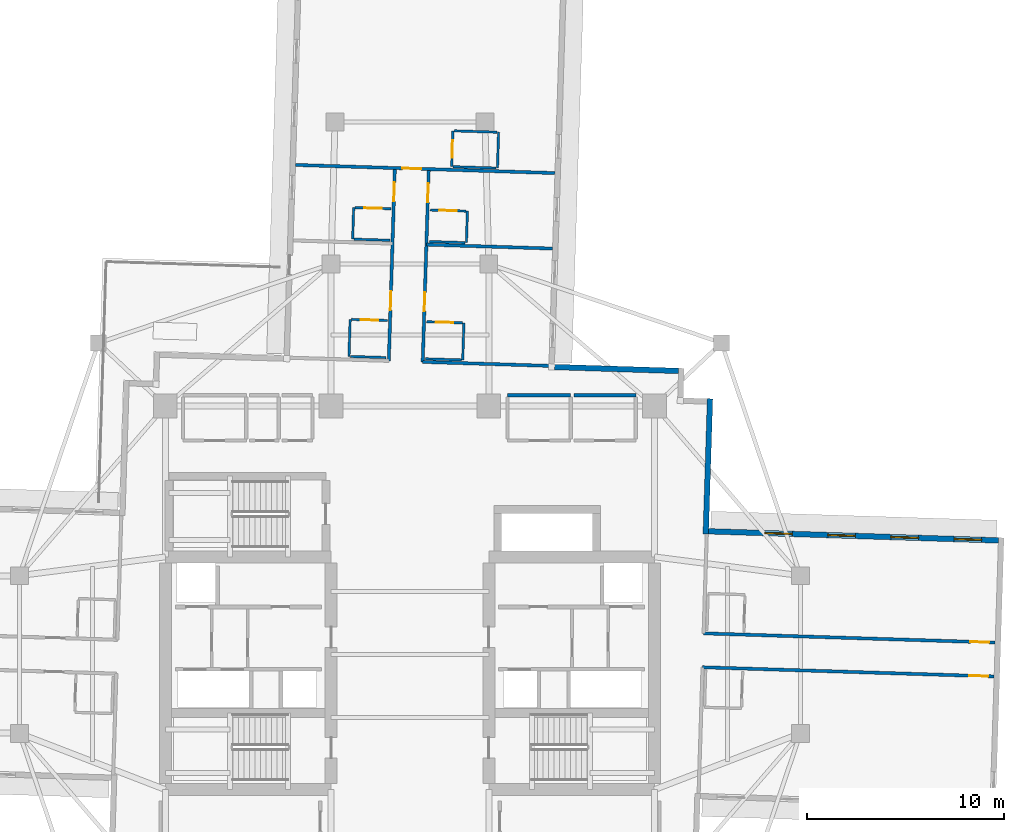
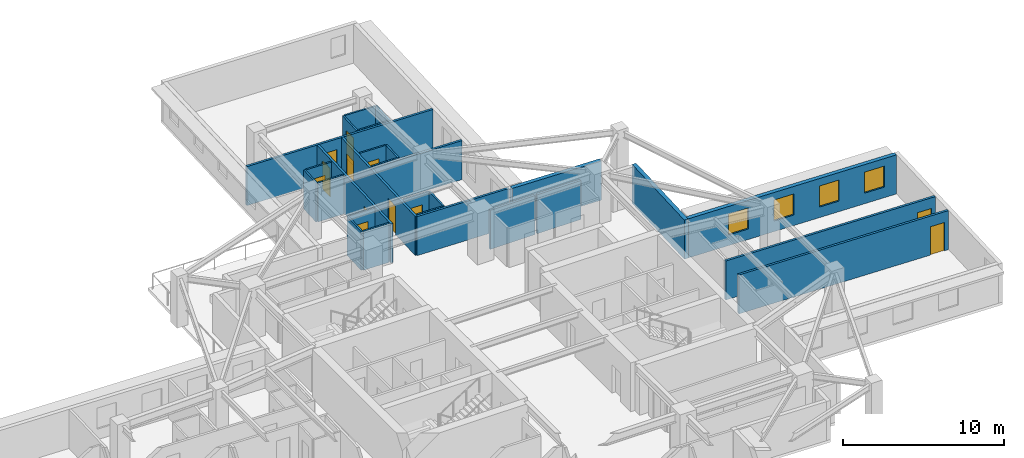
# One storey, part 7 of 13: 28 walls, 12 doors, 4 windows, 16 openings.
"""IFC4 building model written with IfcOpenShell, lengths in metres."""

from ifc_helpers import new_model, si_unit, direction, frame, frame_2d, origin, place, context, subcontext, project, spatial, rectangle, extrude, material, layer, layer_set, type_object, element, fill, save


model = new_model("IFC4")

# Units and contexts
model_context = context("Model", 3, precision=1e-05, world=origin(), true_north=direction((0.0, 1.0)))
body_context = subcontext(model_context, "Body", "Model", "MODEL_VIEW")
ifc_project = project(units=[si_unit("LENGTHUNIT", "METRE"), si_unit("AREAUNIT", "SQUARE_METRE"), si_unit("VOLUMEUNIT", "CUBIC_METRE"), si_unit("PLANEANGLEUNIT", "RADIAN"), si_unit("MASSUNIT", "GRAM", prefix="KILO")], contexts=[model_context])

# Site, building, storey
site_placement = place(None, origin())
site = spatial("IfcSite", under=ifc_project, at=site_placement, CompositionType="ELEMENT")
building_placement = place(site_placement, origin())
building = spatial("IfcBuilding", under=site, at=building_placement, Name="Qingluan Cross Belvedere", CompositionType="ELEMENT")
storey_placement = place(building_placement, frame((0.0, 0.0, 152.699951171875)))
storey = spatial("IfcBuildingStorey", under=building, at=storey_placement, Name="L38", CompositionType="ELEMENT", Elevation=152.699951171875)

# Walls
ifc_material_1 = material(Name="Gypsum plasterboard on steel stud acoustic partition", Category="steel")
ifc_layer_1 = layer(ifc_material_1, 0.159912109375, Name="CorridorPartition_160")
ifc_layer_set_1 = layer_set([ifc_layer_1], Name="Gypsum plasterboard on steel stud acoustic partition")
wall_type_1 = type_object("IfcWallType", Name="CorridorPartition_160", PredefinedType="PARTITIONING", material=ifc_layer_set_1)
wall_1_placement = place(storey_placement, frame((4.949951171875, 13.14990234375, 0.0), z_axis=(0.0, 0.0, 1.0), x_axis=(1.0, 0.0, 0.0)))
element("IfcWall", 1, at=wall_1_placement, inside=storey, type_object=wall_type_1, Name="Partition L38:q_ne1:N", PredefinedType="PARTITIONING", context=body_context, shape_type="SweptSolid", body=[
    extrude(rectangle(XDim=3.199951171875, YDim=0.159912109375, at=frame_2d((1.60009765625, 0.0))), origin(), (0.0, 0.0, 1.0), 2.9599609375),
])
wall_2_placement = place(storey_placement, frame((8.31005859375, 13.14990234375, 0.0), z_axis=(0.0, 0.0, 1.0), x_axis=(1.0, 0.0, 0.0)))
element("IfcWall", 2, at=wall_2_placement, inside=storey, type_object=wall_type_1, Name="Partition L38:q_ne2:N", PredefinedType="PARTITIONING", context=body_context, shape_type="SweptSolid", body=[
    extrude(rectangle(XDim=3.139892578125, YDim=0.159912109375, at=frame_2d((1.56982421875, 0.0))), origin(), (0.0, 0.0, 1.0), 2.9599609375),
])

# Wall, opening, door
wall_3_placement = place(storey_placement, frame((14.89111328125, 1.07275390625, 0.0), z_axis=(0.0, 0.0, 1.0), x_axis=(0.999506468759, -0.031413673903, 0.0)))
wall_3 = element("IfcWall", 3, at=wall_3_placement, inside=storey, type_object=wall_type_1, Name="Partition L38:E:c0", PredefinedType="PARTITIONING", context=body_context, shape_type="SweptSolid", body=[
    extrude(rectangle(XDim=14.781982421875, YDim=0.159912109375, at=frame_2d((7.39111328125, 0.0))), origin(), (0.0, 0.0, 1.0), 2.9599609375),
])
opening_1_placement = place(wall_3_placement, frame((13.530029296875, 0.0, 0.0)))
opening_1 = element("IfcOpeningElement", 4, at=opening_1_placement, cuts=wall_3, Name="Opening GD-10", PredefinedType="OPENING", context=body_context, shape_type="SweptSolid", body=[
    extrude(rectangle(XDim=0.9599609375, YDim=2.14990234375, at=frame_2d((0.47998046875, 1.074951171875))), frame((0.0, 0.08984375, 0.0), z_axis=(0.0, -1.0, 0.0), x_axis=(1.0, 0.0, 0.0)), (0.0, 0.0, 1.0), 0.179931640625),
])
ifc_material_2 = material(Name="Timber oak fire-rated acoustic guestroom door", Category="wood")
door_type_1 = type_object("IfcDoorType", Name="GuestEntryDoor_FD60", OperationType="NOTDEFINED", PredefinedType="DOOR", material=ifc_material_2)
door_1_placement = place(opening_1_placement, origin())
door_1 = element("IfcDoor", 5, at=door_1_placement, inside=storey, type_object=door_type_1, Name="Guest entry fire door 3801", OperationType="SINGLE_SWING_RIGHT", OverallHeight=2.14990234375, OverallWidth=0.9599609375, PredefinedType="DOOR", context=body_context, shape_type="SweptSolid", body=[
    extrude(rectangle(XDim=0.9599609375, YDim=2.14990234375, at=frame_2d((0.47998046875, 1.074951171875))), frame((0.0, 0.02490234375, 0.0), z_axis=(0.0, -1.0, 0.0), x_axis=(1.0, 0.0, 0.0)), (0.0, 0.0, 1.0), 0.050048828125),
])
fill(opening_1, door_1)

wall_4_placement = place(storey_placement, frame((14.8369140625, -0.646484375, 0.0), z_axis=(0.0, 0.0, 1.0), x_axis=(0.999507003481, -0.031396655766, 0.0)))
wall_4 = element("IfcWall", 6, at=wall_4_placement, inside=storey, type_object=wall_type_1, Name="Partition L38:E:c1", PredefinedType="PARTITIONING", context=body_context, shape_type="SweptSolid", body=[
    extrude(rectangle(XDim=14.7822265625, YDim=0.159912109375, at=frame_2d((7.39111328125, 0.0))), origin(), (0.0, 0.0, 1.0), 2.9599609375),
])
opening_2_placement = place(wall_4_placement, frame((13.530029296875, 0.0, 0.0)))
opening_2 = element("IfcOpeningElement", 7, at=opening_2_placement, cuts=wall_4, Name="Opening GD-10", PredefinedType="OPENING", context=body_context, shape_type="SweptSolid", body=[
    extrude(rectangle(XDim=0.9599609375, YDim=2.14990234375, at=frame_2d((0.47998046875, 1.074951171875))), frame((0.0, 0.08984375, 0.0), z_axis=(0.0, -1.0, 0.0), x_axis=(1.0, 0.0, 0.0)), (0.0, 0.0, 1.0), 0.179931640625),
])
door_2_placement = place(opening_2_placement, origin())
door_2 = element("IfcDoor", 8, at=door_2_placement, inside=storey, type_object=door_type_1, Name="Guest entry fire door 3802", OperationType="SINGLE_SWING_RIGHT", OverallHeight=2.14990234375, OverallWidth=0.9599609375, PredefinedType="DOOR", context=body_context, shape_type="SweptSolid", body=[
    extrude(rectangle(XDim=0.9599609375, YDim=2.14990234375, at=frame_2d((0.47998046875, 1.074951171875))), frame((0.0, 0.02490234375, 0.0), z_axis=(0.0, -1.0, 0.0), x_axis=(1.0, 0.0, 0.0)), (0.0, 0.0, 1.0), 0.050048828125),
])
fill(opening_2, door_2)

# Wall, openings, doors
wall_5_placement = place(storey_placement, frame((0.646484375, 14.8369140625, 0.0), z_axis=(0.0, 0.0, 1.0), x_axis=(0.031385618091, 0.999507350137, 0.0)))
wall_5 = element("IfcWall", 9, at=wall_5_placement, inside=storey, type_object=wall_type_1, Name="Partition L38:N:c0", PredefinedType="PARTITIONING", context=body_context, shape_type="SweptSolid", body=[
    extrude(rectangle(XDim=9.7001953125, YDim=0.159912109375, at=frame_2d((4.85009765625, 0.0))), origin(), (0.0, 0.0, 1.0), 2.9599609375),
])
opening_3_placement = place(wall_5_placement, frame((2.574951171875, 0.0, 0.0)))
opening_3 = element("IfcOpeningElement", 10, at=opening_3_placement, cuts=wall_5, Name="Opening GD-10", PredefinedType="OPENING", context=body_context, shape_type="SweptSolid", body=[
    extrude(rectangle(XDim=0.9599609375, YDim=2.14990234375, at=frame_2d((0.47998046875, 1.074951171875))), frame((0.0, 0.08984375, 0.0), z_axis=(0.0, -1.0, 0.0), x_axis=(1.0, 0.0, 0.0)), (0.0, 0.0, 1.0), 0.179931640625),
])
opening_4_placement = place(wall_5_placement, frame((8.096923828125, 0.0, 0.0)))
opening_4 = element("IfcOpeningElement", 11, at=opening_4_placement, cuts=wall_5, Name="Opening GD-10", PredefinedType="OPENING", context=body_context, shape_type="SweptSolid", body=[
    extrude(rectangle(XDim=0.9599609375, YDim=2.14990234375, at=frame_2d((0.47998046875, 1.074951171875))), frame((0.0, 0.08984375, 0.0), z_axis=(0.0, -1.0, 0.0), x_axis=(1.0, 0.0, 0.0)), (0.0, 0.0, 1.0), 0.179931640625),
])
door_3_placement = place(opening_3_placement, origin())
door_3 = element("IfcDoor", 12, at=door_3_placement, inside=storey, type_object=door_type_1, Name="Guest entry fire door 3809", OperationType="SINGLE_SWING_RIGHT", OverallHeight=2.14990234375, OverallWidth=0.9599609375, PredefinedType="DOOR", context=body_context, shape_type="SweptSolid", body=[
    extrude(rectangle(XDim=0.9599609375, YDim=2.14990234375, at=frame_2d((0.47998046875, 1.074951171875))), frame((0.0, 0.02490234375, 0.0), z_axis=(0.0, -1.0, 0.0), x_axis=(1.0, 0.0, 0.0)), (0.0, 0.0, 1.0), 0.050048828125),
])
fill(opening_3, door_3)
door_4_placement = place(opening_4_placement, origin())
door_4 = element("IfcDoor", 13, at=door_4_placement, inside=storey, type_object=door_type_1, Name="Guest entry fire door 3810", OperationType="SINGLE_SWING_RIGHT", OverallHeight=2.14990234375, OverallWidth=0.9599609375, PredefinedType="DOOR", context=body_context, shape_type="SweptSolid", body=[
    extrude(rectangle(XDim=0.9599609375, YDim=2.14990234375, at=frame_2d((0.47998046875, 1.074951171875))), frame((0.0, 0.02490234375, 0.0), z_axis=(0.0, -1.0, 0.0), x_axis=(1.0, 0.0, 0.0)), (0.0, 0.0, 1.0), 0.050048828125),
])
fill(opening_4, door_4)

# Walls
wall_6_placement = place(storey_placement, frame((0.646484375, 14.8369140625, 0.0), z_axis=(0.0, 0.0, 1.0), x_axis=(0.999507037085, -0.031395585949, 0.0)))
element("IfcWall", 14, at=wall_6_placement, inside=storey, type_object=wall_type_1, Name="Partition L38:N:s0", PredefinedType="PARTITIONING", context=body_context, shape_type="SweptSolid", body=[
    extrude(rectangle(XDim=6.539794921875, YDim=0.159912109375, at=frame_2d((3.27001953125, 0.0))), origin(), (0.0, 0.0, 1.0), 2.9599609375),
])
wall_7_placement = place(storey_placement, frame((0.833251953125, 20.7841796875, 0.0), z_axis=(0.0, 0.0, 1.0), x_axis=(0.999505833379, -0.031433883636, 0.0)))
element("IfcWall", 15, at=wall_7_placement, inside=storey, type_object=wall_type_1, Name="Partition L38:N:d0_0", PredefinedType="PARTITIONING", context=body_context, shape_type="SweptSolid", body=[
    extrude(rectangle(XDim=6.39208984375, YDim=0.159912109375, at=frame_2d((3.196044921875, 0.0))), origin(), (0.0, 0.0, 1.0), 2.9599609375),
])

# Wall, openings, doors
wall_8_placement = place(storey_placement, frame((-1.07275390625, 14.89111328125, 0.0), z_axis=(0.0, 0.0, 1.0), x_axis=(0.031411552371, 0.999506535435, 0.0)))
wall_8 = element("IfcWall", 16, at=wall_8_placement, inside=storey, type_object=wall_type_1, Name="Partition L38:N:c1", PredefinedType="PARTITIONING", context=body_context, shape_type="SweptSolid", body=[
    extrude(rectangle(XDim=9.699951171875, YDim=0.159912109375, at=frame_2d((4.85009765625, 0.0))), origin(), (0.0, 0.0, 1.0), 2.9599609375),
])
opening_5_placement = place(wall_8_placement, frame((2.574951171875, 0.0, 0.0)))
opening_5 = element("IfcOpeningElement", 17, at=opening_5_placement, cuts=wall_8, Name="Opening GD-10", PredefinedType="OPENING", context=body_context, shape_type="SweptSolid", body=[
    extrude(rectangle(XDim=0.9599609375, YDim=2.14990234375, at=frame_2d((0.47998046875, 1.074951171875))), frame((0.0, 0.08984375, 0.0), z_axis=(0.0, -1.0, 0.0), x_axis=(1.0, 0.0, 0.0)), (0.0, 0.0, 1.0), 0.179931640625),
])
opening_6_placement = place(wall_8_placement, frame((8.096923828125, 0.0, 0.0)))
opening_6 = element("IfcOpeningElement", 18, at=opening_6_placement, cuts=wall_8, Name="Opening GD-10", PredefinedType="OPENING", context=body_context, shape_type="SweptSolid", body=[
    extrude(rectangle(XDim=0.9599609375, YDim=2.14990234375, at=frame_2d((0.47998046875, 1.074951171875))), frame((0.0, 0.08984375, 0.0), z_axis=(0.0, -1.0, 0.0), x_axis=(1.0, 0.0, 0.0)), (0.0, 0.0, 1.0), 0.179931640625),
])
door_5_placement = place(opening_5_placement, origin())
door_5 = element("IfcDoor", 19, at=door_5_placement, inside=storey, type_object=door_type_1, Name="Guest entry fire door 3811", OperationType="SINGLE_SWING_RIGHT", OverallHeight=2.14990234375, OverallWidth=0.9599609375, PredefinedType="DOOR", context=body_context, shape_type="SweptSolid", body=[
    extrude(rectangle(XDim=0.9599609375, YDim=2.14990234375, at=frame_2d((0.47998046875, 1.074951171875))), frame((0.0, 0.02490234375, 0.0), z_axis=(0.0, -1.0, 0.0), x_axis=(1.0, 0.0, 0.0)), (0.0, 0.0, 1.0), 0.050048828125),
])
fill(opening_5, door_5)
door_6_placement = place(opening_6_placement, origin())
door_6 = element("IfcDoor", 20, at=door_6_placement, inside=storey, type_object=door_type_1, Name="Guest entry fire door 3812", OperationType="SINGLE_SWING_RIGHT", OverallHeight=2.14990234375, OverallWidth=0.9599609375, PredefinedType="DOOR", context=body_context, shape_type="SweptSolid", body=[
    extrude(rectangle(XDim=0.9599609375, YDim=2.14990234375, at=frame_2d((0.47998046875, 1.074951171875))), frame((0.0, 0.02490234375, 0.0), z_axis=(0.0, -1.0, 0.0), x_axis=(1.0, 0.0, 0.0)), (0.0, 0.0, 1.0), 0.050048828125),
])
fill(opening_6, door_6)

# Wall, opening, door
wall_9_placement = place(storey_placement, frame((-5.795166015625, 24.82421875, 0.0), z_axis=(0.0, 0.0, 1.0), x_axis=(0.999507189267, -0.031390740738, 0.0)))
wall_9 = element("IfcWall", 21, at=wall_9_placement, inside=storey, type_object=wall_type_1, Name="Partition L38:Ncap:in", PredefinedType="PARTITIONING", context=body_context, shape_type="SweptSolid", body=[
    extrude(rectangle(XDim=13.14404296875, YDim=0.159912109375, at=frame_2d((6.572021484375, 0.0))), origin(), (0.0, 0.0, 1.0), 2.9599609375),
])
opening_7_placement = place(wall_9_placement, frame((5.412109375, 0.0, 0.0)))
opening_7 = element("IfcOpeningElement", 22, at=opening_7_placement, cuts=wall_9, Name="Opening GD-10", PredefinedType="OPENING", context=body_context, shape_type="SweptSolid", body=[
    extrude(rectangle(XDim=0.9599609375, YDim=2.14990234375, at=frame_2d((0.47998046875, 1.074951171875))), frame((0.0, 0.08984375, 0.0), z_axis=(0.0, -1.0, 0.0), x_axis=(1.0, 0.0, 0.0)), (0.0, 0.0, 1.0), 0.179931640625),
])
door_7_placement = place(opening_7_placement, origin())
door_7 = element("IfcDoor", 23, at=door_7_placement, inside=storey, type_object=door_type_1, Name="Presidential suite entrance door L38N", OperationType="SINGLE_SWING_LEFT", OverallHeight=2.14990234375, OverallWidth=0.9599609375, PredefinedType="DOOR", context=body_context, shape_type="SweptSolid", body=[
    extrude(rectangle(XDim=0.9599609375, YDim=2.14990234375, at=frame_2d((0.47998046875, 1.074951171875))), frame((0.0, 0.02490234375, 0.0), z_axis=(0.0, -1.0, 0.0), x_axis=(1.0, 0.0, 0.0)), (0.0, 0.0, 1.0), 0.050048828125),
])
fill(opening_7, door_7)

ifc_material_3 = material(Name="Moisture-resistant gypsum board lining")
ifc_layer_2 = layer(ifc_material_3, 0.1201171875, Name="EnsuiteWetPartition_120")
ifc_layer_set_2 = layer_set([ifc_layer_2], Name="Moisture-resistant gypsum board lining")
wall_type_2 = type_object("IfcWallType", Name="EnsuiteWetPartition_120", PredefinedType="PARTITIONING", material=ifc_layer_set_2)
wall_10_placement = place(storey_placement, frame((0.850341796875, 16.87158203125, 0.0), z_axis=(0.0, 0.0, 1.0), x_axis=(0.999507221803, -0.031389704724, 0.0)))
wall_10 = element("IfcWall", 24, at=wall_10_placement, inside=storey, type_object=wall_type_2, Name="Partition L38:N:bs0_0", PredefinedType="PARTITIONING", context=body_context, shape_type="SweptSolid", body=[
    extrude(rectangle(XDim=1.820068359375, YDim=0.1201171875, at=frame_2d((0.91015625, 0.0))), origin(), (0.0, 0.0, 1.0), 2.9599609375),
])
opening_8_placement = place(wall_10_placement, frame((0.469970703125, 0.0, 0.0)))
opening_8 = element("IfcOpeningElement", 25, at=opening_8_placement, cuts=wall_10, Name="Opening BD-09", PredefinedType="OPENING", context=body_context, shape_type="SweptSolid", body=[
    extrude(rectangle(XDim=0.8798828125, YDim=2.10009765625, at=frame_2d((0.43994140625, 1.050048828125))), frame((0.0, 0.070068359375, 0.0), z_axis=(0.0, -1.0, 0.0), x_axis=(1.0, 0.0, 0.0)), (0.0, 0.0, 1.0), 0.14013671875),
])
ifc_material_4 = material(Name="Moisture-sealed timber en-suite door", Category="wood")
door_type_2 = type_object("IfcDoorType", Name="BathroomDoor_880", OperationType="NOTDEFINED", PredefinedType="DOOR", material=ifc_material_4)
door_8_placement = place(opening_8_placement, origin())
door_8 = element("IfcDoor", 26, at=door_8_placement, inside=storey, type_object=door_type_2, Name="Bathroom door 3809", OperationType="SINGLE_SWING_LEFT", OverallHeight=2.10009765625, OverallWidth=0.8798828125, PredefinedType="DOOR", context=body_context, shape_type="SweptSolid", body=[
    extrude(rectangle(XDim=0.8798828125, YDim=2.10009765625, at=frame_2d((0.43994140625, 1.050048828125))), frame((0.0, 0.02490234375, 0.0), z_axis=(0.0, -1.0, 0.0), x_axis=(1.0, 0.0, 0.0)), (0.0, 0.0, 1.0), 0.050048828125),
])
fill(opening_8, door_8)

# Walls
wall_11_placement = place(storey_placement, frame((0.791259765625, 14.992431640625, 0.0), z_axis=(0.0, 0.0, 1.0), x_axis=(0.999507221803, -0.031389704724, 0.0)))
element("IfcWall", 27, at=wall_11_placement, inside=storey, type_object=wall_type_2, Name="Partition L38:N:bw0_0", PredefinedType="PARTITIONING", context=body_context, shape_type="SweptSolid", body=[
    extrude(rectangle(XDim=1.820068359375, YDim=0.1201171875, at=frame_2d((0.91015625, 0.0))), origin(), (0.0, 0.0, 1.0), 2.9599609375),
])
wall_12_placement = place(storey_placement, frame((2.67529296875, 14.933349609375, 0.0), z_axis=(0.0, 0.0, 1.0), x_axis=(0.031425292588, 0.999506103526, 0.0)))
element("IfcWall", 28, at=wall_12_placement, inside=storey, type_object=wall_type_2, Name="Partition L38:N:bn0_0", PredefinedType="PARTITIONING", context=body_context, shape_type="SweptSolid", body=[
    extrude(rectangle(XDim=1.880126953125, YDim=0.1201171875, at=frame_2d((0.93994140625, 0.0))), origin(), (0.0, 0.0, 1.0), 2.9599609375),
])

# Wall, opening, door
wall_13_placement = place(storey_placement, frame((1.028564453125, 22.538818359375, 0.0), z_axis=(0.0, 0.0, 1.0), x_axis=(0.999507221803, -0.031389704724, 0.0)))
wall_13 = element("IfcWall", 29, at=wall_13_placement, inside=storey, type_object=wall_type_2, Name="Partition L38:N:bs0_1", PredefinedType="PARTITIONING", context=body_context, shape_type="SweptSolid", body=[
    extrude(rectangle(XDim=1.820068359375, YDim=0.1201171875, at=frame_2d((0.91015625, 0.0))), origin(), (0.0, 0.0, 1.0), 2.9599609375),
])
opening_9_placement = place(wall_13_placement, frame((0.469970703125, 0.0, 0.0)))
opening_9 = element("IfcOpeningElement", 30, at=opening_9_placement, cuts=wall_13, Name="Opening BD-09", PredefinedType="OPENING", context=body_context, shape_type="SweptSolid", body=[
    extrude(rectangle(XDim=0.8798828125, YDim=2.10009765625, at=frame_2d((0.43994140625, 1.050048828125))), frame((0.0, 0.070068359375, 0.0), z_axis=(0.0, -1.0, 0.0), x_axis=(1.0, 0.0, 0.0)), (0.0, 0.0, 1.0), 0.14013671875),
])
door_9_placement = place(opening_9_placement, origin())
door_9 = element("IfcDoor", 31, at=door_9_placement, inside=storey, type_object=door_type_2, Name="Bathroom door 3810", OperationType="SINGLE_SWING_LEFT", OverallHeight=2.10009765625, OverallWidth=0.8798828125, PredefinedType="DOOR", context=body_context, shape_type="SweptSolid", body=[
    extrude(rectangle(XDim=0.8798828125, YDim=2.10009765625, at=frame_2d((0.43994140625, 1.050048828125))), frame((0.0, 0.02490234375, 0.0), z_axis=(0.0, -1.0, 0.0), x_axis=(1.0, 0.0, 0.0)), (0.0, 0.0, 1.0), 0.050048828125),
])
fill(opening_9, door_9)

# Walls
wall_14_placement = place(storey_placement, frame((0.978271484375, 20.939697265625, 0.0), z_axis=(0.0, 0.0, 1.0), x_axis=(0.999503004171, -0.03152371574, 0.0)))
element("IfcWall", 32, at=wall_14_placement, inside=storey, type_object=wall_type_2, Name="Partition L38:N:bw0_1", PredefinedType="PARTITIONING", context=body_context, shape_type="SweptSolid", body=[
    extrude(rectangle(XDim=1.820068359375, YDim=0.1201171875, at=frame_2d((0.91015625, 0.0))), origin(), (0.0, 0.0, 1.0), 2.9599609375),
])
wall_15_placement = place(storey_placement, frame((2.8623046875, 20.88037109375, 0.0), z_axis=(0.0, 0.0, 1.0), x_axis=(0.031434839006, 0.999505803333, 0.0)))
element("IfcWall", 33, at=wall_15_placement, inside=storey, type_object=wall_type_2, Name="Partition L38:N:bn0_1", PredefinedType="PARTITIONING", context=body_context, shape_type="SweptSolid", body=[
    extrude(rectangle(XDim=1.599853515625, YDim=0.1201171875, at=frame_2d((0.7998046875, 0.0))), origin(), (0.0, 0.0, 1.0), 2.9599609375),
])

# Wall, opening, door
wall_16_placement = place(storey_placement, frame((-2.9677734375, 16.99169921875, 0.0), z_axis=(0.0, 0.0, 1.0), x_axis=(0.999503004171, -0.03152371574, 0.0)))
wall_16 = element("IfcWall", 34, at=wall_16_placement, inside=storey, type_object=wall_type_2, Name="Partition L38:N:bs1_0", PredefinedType="PARTITIONING", context=body_context, shape_type="SweptSolid", body=[
    extrude(rectangle(XDim=1.820068359375, YDim=0.1201171875, at=frame_2d((0.91015625, 0.0))), origin(), (0.0, 0.0, 1.0), 2.9599609375),
])
opening_10_placement = place(wall_16_placement, frame((0.469970703125, 0.0, 0.0)))
opening_10 = element("IfcOpeningElement", 35, at=opening_10_placement, cuts=wall_16, Name="Opening BD-09", PredefinedType="OPENING", context=body_context, shape_type="SweptSolid", body=[
    extrude(rectangle(XDim=0.8798828125, YDim=2.10009765625, at=frame_2d((0.43994140625, 1.050048828125))), frame((0.0, 0.070068359375, 0.0), z_axis=(0.0, -1.0, 0.0), x_axis=(1.0, 0.0, 0.0)), (0.0, 0.0, 1.0), 0.14013671875),
])
door_10_placement = place(opening_10_placement, origin())
door_10 = element("IfcDoor", 36, at=door_10_placement, inside=storey, type_object=door_type_2, Name="Bathroom door 3811", OperationType="SINGLE_SWING_LEFT", OverallHeight=2.10009765625, OverallWidth=0.8798828125, PredefinedType="DOOR", context=body_context, shape_type="SweptSolid", body=[
    extrude(rectangle(XDim=0.8798828125, YDim=2.10009765625, at=frame_2d((0.43994140625, 1.050048828125))), frame((0.0, 0.02490234375, 0.0), z_axis=(0.0, -1.0, 0.0), x_axis=(1.0, 0.0, 0.0)), (0.0, 0.0, 1.0), 0.050048828125),
])
fill(opening_10, door_10)

# Walls
wall_17_placement = place(storey_placement, frame((-3.02685546875, 15.112548828125, 0.0), z_axis=(0.0, 0.0, 1.0), x_axis=(0.999507221803, -0.031389704724, 0.0)))
element("IfcWall", 37, at=wall_17_placement, inside=storey, type_object=wall_type_2, Name="Partition L38:N:bw1_0", PredefinedType="PARTITIONING", context=body_context, shape_type="SweptSolid", body=[
    extrude(rectangle(XDim=1.820068359375, YDim=0.1201171875, at=frame_2d((0.91015625, 0.0))), origin(), (0.0, 0.0, 1.0), 2.9599609375),
])
wall_18_placement = place(storey_placement, frame((-3.091796875, 15.114501953125, 0.0), z_axis=(0.0, 0.0, 1.0), x_axis=(0.031425292588, 0.999506103526, 0.0)))
element("IfcWall", 38, at=wall_18_placement, inside=storey, type_object=wall_type_2, Name="Partition L38:N:bc1_0", PredefinedType="PARTITIONING", context=body_context, shape_type="SweptSolid", body=[
    extrude(rectangle(XDim=1.880126953125, YDim=0.1201171875, at=frame_2d((0.93994140625, 0.0))), origin(), (0.0, 0.0, 1.0), 2.9599609375),
])

# Wall, opening, door
wall_19_placement = place(storey_placement, frame((-2.78955078125, 22.65869140625, 0.0), z_axis=(0.0, 0.0, 1.0), x_axis=(0.999507221803, -0.031389704724, 0.0)))
wall_19 = element("IfcWall", 39, at=wall_19_placement, inside=storey, type_object=wall_type_2, Name="Partition L38:N:bs1_1", PredefinedType="PARTITIONING", context=body_context, shape_type="SweptSolid", body=[
    extrude(rectangle(XDim=1.820068359375, YDim=0.1201171875, at=frame_2d((0.91015625, 0.0))), origin(), (0.0, 0.0, 1.0), 2.9599609375),
])
opening_11_placement = place(wall_19_placement, frame((0.469970703125, 0.0, 0.0)))
opening_11 = element("IfcOpeningElement", 40, at=opening_11_placement, cuts=wall_19, Name="Opening BD-09", PredefinedType="OPENING", context=body_context, shape_type="SweptSolid", body=[
    extrude(rectangle(XDim=0.8798828125, YDim=2.10009765625, at=frame_2d((0.43994140625, 1.050048828125))), frame((0.0, 0.070068359375, 0.0), z_axis=(0.0, -1.0, 0.0), x_axis=(1.0, 0.0, 0.0)), (0.0, 0.0, 1.0), 0.14013671875),
])
door_11_placement = place(opening_11_placement, origin())
door_11 = element("IfcDoor", 41, at=door_11_placement, inside=storey, type_object=door_type_2, Name="Bathroom door 3812", OperationType="SINGLE_SWING_LEFT", OverallHeight=2.10009765625, OverallWidth=0.8798828125, PredefinedType="DOOR", context=body_context, shape_type="SweptSolid", body=[
    extrude(rectangle(XDim=0.8798828125, YDim=2.10009765625, at=frame_2d((0.43994140625, 1.050048828125))), frame((0.0, 0.02490234375, 0.0), z_axis=(0.0, -1.0, 0.0), x_axis=(1.0, 0.0, 0.0)), (0.0, 0.0, 1.0), 0.050048828125),
])
fill(opening_11, door_11)

# Walls
wall_20_placement = place(storey_placement, frame((-2.83984375, 21.0595703125, 0.0), z_axis=(0.0, 0.0, 1.0), x_axis=(0.999507221803, -0.031389704724, 0.0)))
element("IfcWall", 42, at=wall_20_placement, inside=storey, type_object=wall_type_2, Name="Partition L38:N:bw1_1", PredefinedType="PARTITIONING", context=body_context, shape_type="SweptSolid", body=[
    extrude(rectangle(XDim=1.820068359375, YDim=0.1201171875, at=frame_2d((0.91015625, 0.0))), origin(), (0.0, 0.0, 1.0), 2.9599609375),
])
wall_21_placement = place(storey_placement, frame((-2.90478515625, 21.0615234375, 0.0), z_axis=(0.0, 0.0, 1.0), x_axis=(0.031430045267, 0.999505954087, 0.0)))
element("IfcWall", 43, at=wall_21_placement, inside=storey, type_object=wall_type_2, Name="Partition L38:N:bc1_1", PredefinedType="PARTITIONING", context=body_context, shape_type="SweptSolid", body=[
    extrude(rectangle(XDim=1.60009765625, YDim=0.1201171875, at=frame_2d((0.800048828125, 0.0))), origin(), (0.0, 0.0, 1.0), 2.9599609375),
])

# Wall, opening, door
wall_22_placement = place(storey_placement, frame((2.117919921875, 24.735595703125, 0.0), z_axis=(0.0, 0.0, 1.0), x_axis=(0.03152371574, 0.999503004171, 0.0)))
wall_22 = element("IfcWall", 44, at=wall_22_placement, inside=storey, type_object=wall_type_2, Name="Partition L38:Ncap:bs", PredefinedType="PARTITIONING", context=body_context, shape_type="SweptSolid", body=[
    extrude(rectangle(XDim=1.820068359375, YDim=0.1201171875, at=frame_2d((0.91015625, 0.0))), origin(), (0.0, 0.0, 1.0), 2.9599609375),
])
opening_12_placement = place(wall_22_placement, frame((0.449951171875, 0.0, 0.0)))
opening_12 = element("IfcOpeningElement", 45, at=opening_12_placement, cuts=wall_22, Name="Opening BD-09", PredefinedType="OPENING", context=body_context, shape_type="SweptSolid", body=[
    extrude(rectangle(XDim=0.8798828125, YDim=2.10009765625, at=frame_2d((0.43994140625, 1.050048828125))), frame((0.0, 0.070068359375, 0.0), z_axis=(0.0, -1.0, 0.0), x_axis=(1.0, 0.0, 0.0)), (0.0, 0.0, 1.0), 0.14013671875),
])
door_12_placement = place(opening_12_placement, origin())
door_12 = element("IfcDoor", 46, at=door_12_placement, inside=storey, type_object=door_type_2, Name="En-suite bathroom door L38N", OperationType="SINGLE_SWING_RIGHT", OverallHeight=2.10009765625, OverallWidth=0.8798828125, PredefinedType="DOOR", context=body_context, shape_type="SweptSolid", body=[
    extrude(rectangle(XDim=0.8798828125, YDim=2.10009765625, at=frame_2d((0.43994140625, 1.050048828125))), frame((0.0, 0.02490234375, 0.0), z_axis=(0.0, -1.0, 0.0), x_axis=(1.0, 0.0, 0.0)), (0.0, 0.0, 1.0), 0.050048828125),
])
fill(opening_12, door_12)

# Walls
wall_23_placement = place(storey_placement, frame((4.43701171875, 24.662841796875, 0.0), z_axis=(0.0, 0.0, 1.0), x_axis=(0.031255692016, 0.999511421504, 0.0)))
element("IfcWall", 47, at=wall_23_placement, inside=storey, type_object=wall_type_2, Name="Partition L38:Ncap:bb", PredefinedType="PARTITIONING", context=body_context, shape_type="SweptSolid", body=[
    extrude(rectangle(XDim=1.820068359375, YDim=0.1201171875, at=frame_2d((0.91015625, 0.0))), origin(), (0.0, 0.0, 1.0), 2.9599609375),
])
for number, where, z_axis, x_axis, name in (
    (48, (2.18798828125, 24.7333984375, 0.0), (0.0, 0.0, 1.0), (0.999508244557, -0.031357121398, 0.0), "Partition L38:Ncap:ba"),
    (49, (2.2451171875, 26.552490234375, 0.0), (0.0, 0.0, 1.0), (0.999508244557, -0.031357121398, 0.0), "Partition L38:Ncap:bn"),
):
    element("IfcWall", number, at=place(storey_placement, frame(where, z_axis=z_axis, x_axis=x_axis)), inside=storey, type_object=wall_type_2, Name=name, PredefinedType="PARTITIONING", context=body_context, shape_type="SweptSolid", body=[
        extrude(rectangle(XDim=2.179931640625, YDim=0.1201171875, at=frame_2d((1.08984375, 0.0))), origin(), (0.0, 0.0, 1.0), 2.9599609375),
    ])

# Wall, openings, windows
ifc_material_5 = material(Name="Precast concrete C45", Category="concrete")
ifc_layer_3 = layer(ifc_material_5, 0.280029296875, Name="PrecastFacadeWall_280")
ifc_layer_set_3 = layer_set([ifc_layer_3], Name="Precast concrete C45")
wall_type_3 = type_object("IfcWallType", Name="PrecastFacadeWall_280", PredefinedType="STANDARD", material=ifc_layer_set_3)
wall_24_placement = place(storey_placement, frame((29.83642578125, 5.78564453125, 0.0), z_axis=(0.0, 0.0, 1.0), x_axis=(-0.999506698073, 0.031406376864, 0.0)))
wall_24 = element("IfcWall", 50, at=wall_24_placement, inside=storey, type_object=wall_type_3, Name="Facade wall L38-EB", PredefinedType="STANDARD", context=body_context, shape_type="SweptSolid", body=[
    extrude(rectangle(XDim=14.699951171875, YDim=0.280029296875, at=frame_2d((7.35009765625, 0.0))), origin(), (0.0, 0.0, 1.0), 2.969970703125),
])
opening_13_placement = place(wall_24_placement, frame((0.85009765625, 0.0, 0.800048828125)))
opening_13 = element("IfcOpeningElement", 51, at=opening_13_placement, cuts=wall_24, Name="Opening W-01", PredefinedType="OPENING", context=body_context, shape_type="SweptSolid", body=[
    extrude(rectangle(XDim=1.39990234375, YDim=1.60009765625, at=frame_2d((0.699951171875, 0.800048828125))), frame((0.0, 0.14990234375, 0.0), z_axis=(0.0, -1.0, 0.0), x_axis=(1.0, 0.0, 0.0)), (0.0, 0.0, 1.0), 0.300048828125),
])
opening_14_placement = place(wall_24_placement, frame((4.050048828125, 0.0, 0.800048828125)))
opening_14 = element("IfcOpeningElement", 52, at=opening_14_placement, cuts=wall_24, Name="Opening W-01", PredefinedType="OPENING", context=body_context, shape_type="SweptSolid", body=[
    extrude(rectangle(XDim=1.39990234375, YDim=1.60009765625, at=frame_2d((0.699951171875, 0.800048828125))), frame((0.0, 0.14990234375, 0.0), z_axis=(0.0, -1.0, 0.0), x_axis=(1.0, 0.0, 0.0)), (0.0, 0.0, 1.0), 0.300048828125),
])
opening_15_placement = place(wall_24_placement, frame((7.25, 0.0, 0.800048828125)))
opening_15 = element("IfcOpeningElement", 53, at=opening_15_placement, cuts=wall_24, Name="Opening W-01", PredefinedType="OPENING", context=body_context, shape_type="SweptSolid", body=[
    extrude(rectangle(XDim=1.39990234375, YDim=1.60009765625, at=frame_2d((0.699951171875, 0.800048828125))), frame((0.0, 0.14990234375, 0.0), z_axis=(0.0, -1.0, 0.0), x_axis=(1.0, 0.0, 0.0)), (0.0, 0.0, 1.0), 0.300048828125),
])
opening_16_placement = place(wall_24_placement, frame((10.449951171875, 0.0, 0.800048828125)))
opening_16 = element("IfcOpeningElement", 54, at=opening_16_placement, cuts=wall_24, Name="Opening W-01", PredefinedType="OPENING", context=body_context, shape_type="SweptSolid", body=[
    extrude(rectangle(XDim=1.39990234375, YDim=1.60009765625, at=frame_2d((0.699951171875, 0.800048828125))), frame((0.0, 0.14990234375, 0.0), z_axis=(0.0, -1.0, 0.0), x_axis=(1.0, 0.0, 0.0)), (0.0, 0.0, 1.0), 0.300048828125),
])
ifc_material_6 = material(Name="Thermally broken triple Low-E glass in aluminium frame", Category="aluminium")
window_type = type_object("IfcWindowType", Name="TriRibbonWin_1400x1600", PartitioningType="SINGLE_PANEL", PredefinedType="WINDOW", material=ifc_material_6)
window_1_placement = place(opening_13_placement, origin())
window_1 = element("IfcWindow", 55, at=window_1_placement, inside=storey, type_object=window_type, Name="Ribbon window L38-EB-1", OverallHeight=1.60009765625, OverallWidth=1.39990234375, PartitioningType="SINGLE_PANEL", PredefinedType="WINDOW", context=body_context, shape_type="SweptSolid", body=[
    extrude(rectangle(XDim=1.39990234375, YDim=1.60009765625, at=frame_2d((0.699951171875, 0.800048828125))), frame((0.0, 0.030029296875, 0.0), z_axis=(0.0, -1.0, 0.0), x_axis=(1.0, 0.0, 0.0)), (0.0, 0.0, 1.0), 0.06005859375),
])
fill(opening_13, window_1)
window_2_placement = place(opening_14_placement, origin())
window_2 = element("IfcWindow", 56, at=window_2_placement, inside=storey, type_object=window_type, Name="Ribbon window L38-EB-2", OverallHeight=1.60009765625, OverallWidth=1.39990234375, PartitioningType="SINGLE_PANEL", PredefinedType="WINDOW", context=body_context, shape_type="SweptSolid", body=[
    extrude(rectangle(XDim=1.39990234375, YDim=1.60009765625, at=frame_2d((0.699951171875, 0.800048828125))), frame((0.0, 0.030029296875, 0.0), z_axis=(0.0, -1.0, 0.0), x_axis=(1.0, 0.0, 0.0)), (0.0, 0.0, 1.0), 0.06005859375),
])
fill(opening_14, window_2)
window_3_placement = place(opening_15_placement, origin())
window_3 = element("IfcWindow", 57, at=window_3_placement, inside=storey, type_object=window_type, Name="Ribbon window L38-EB-3", OverallHeight=1.60009765625, OverallWidth=1.39990234375, PartitioningType="SINGLE_PANEL", PredefinedType="WINDOW", context=body_context, shape_type="SweptSolid", body=[
    extrude(rectangle(XDim=1.39990234375, YDim=1.60009765625, at=frame_2d((0.699951171875, 0.800048828125))), frame((0.0, 0.030029296875, 0.0), z_axis=(0.0, -1.0, 0.0), x_axis=(1.0, 0.0, 0.0)), (0.0, 0.0, 1.0), 0.06005859375),
])
fill(opening_15, window_3)
window_4_placement = place(opening_16_placement, origin())
window_4 = element("IfcWindow", 58, at=window_4_placement, inside=storey, type_object=window_type, Name="Ribbon window L38-EB-4", OverallHeight=1.60009765625, OverallWidth=1.39990234375, PartitioningType="SINGLE_PANEL", PredefinedType="WINDOW", context=body_context, shape_type="SweptSolid", body=[
    extrude(rectangle(XDim=1.39990234375, YDim=1.60009765625, at=frame_2d((0.699951171875, 0.800048828125))), frame((0.0, 0.030029296875, 0.0), z_axis=(0.0, -1.0, 0.0), x_axis=(1.0, 0.0, 0.0)), (0.0, 0.0, 1.0), 0.06005859375),
])
fill(opening_16, window_4)

# Walls
wall_25_placement = place(storey_placement, frame((14.99951171875, 6.11181640625, 0.0), z_axis=(0.0, 0.0, 1.0), x_axis=(0.031389189386, 0.999507237988, 0.0)))
element("IfcWall", 59, at=wall_25_placement, inside=storey, type_object=wall_type_3, Name="Corner wall L38-NE1", PredefinedType="STANDARD", context=body_context, shape_type="SweptSolid", body=[
    extrude(rectangle(XDim=6.860107421875, YDim=0.280029296875, at=frame_2d((3.43017578125, 0.0))), origin(), (0.0, 0.0, 1.0), 2.969970703125),
])
wall_26_placement = place(storey_placement, frame((13.618408203125, 14.37939453125, 0.0), z_axis=(0.0, 0.0, 1.0), x_axis=(-0.999507224741, 0.031389611199, 0.0)))
element("IfcWall", 60, at=wall_26_placement, inside=storey, type_object=wall_type_3, Name="Corner wall L38-NE4", PredefinedType="STANDARD", context=body_context, shape_type="SweptSolid", body=[
    extrude(rectangle(XDim=6.300048828125, YDim=0.280029296875, at=frame_2d((3.14990234375, 0.0))), origin(), (0.0, 0.0, 1.0), 2.969970703125),
])

save(model, "model.ifc")
